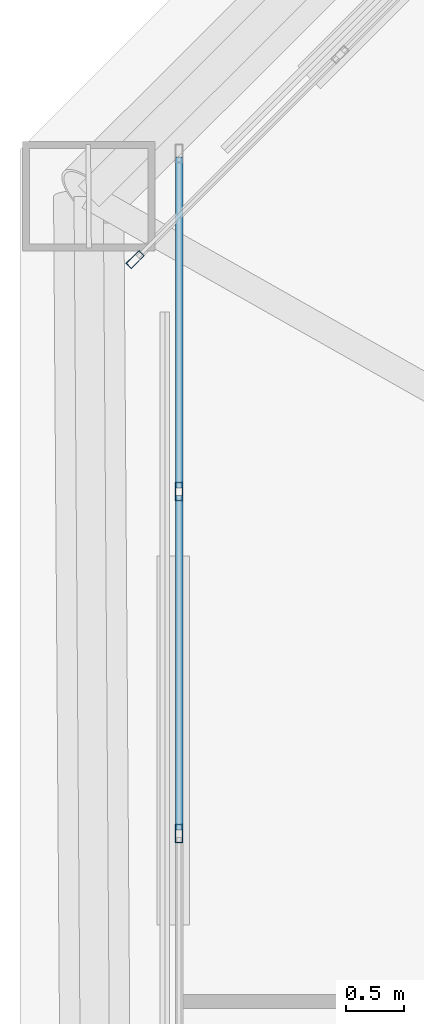
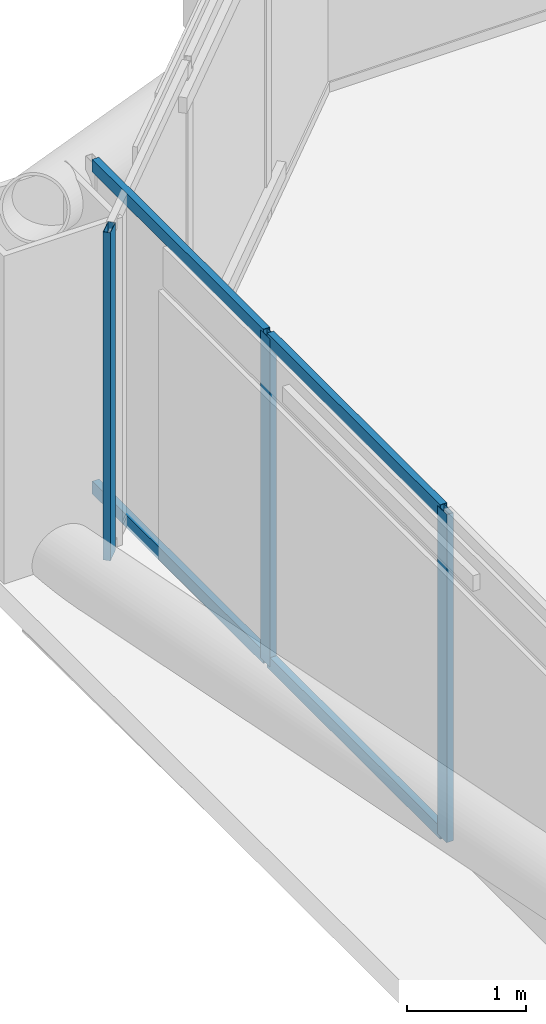
# One storey, part 30 of 50: 7 members, 2 elements without a shape of their own.
"""IFC4 building model written with IfcOpenShell, lengths in metres."""

from ifc_helpers import new_model, si_unit, direction, frame, origin, origin_2d, place, context, subcontext, project, spatial, hollow_rectangle, extrude, material, layer, layer_set, material_profile, profile_set, type_object, element, aggregate, save


model = new_model("IFC4")

# Units and contexts
model_context = context("Model", 3, precision=1e-05, world=origin(), true_north=direction((0.0, 1.0)))
body_context = subcontext(model_context, "Body", "Model", "MODEL_VIEW")
ifc_project = project(units=[si_unit("LENGTHUNIT", "METRE"), si_unit("AREAUNIT", "SQUARE_METRE"), si_unit("VOLUMEUNIT", "CUBIC_METRE"), si_unit("PLANEANGLEUNIT", "RADIAN"), si_unit("MASSUNIT", "GRAM", prefix="KILO")], contexts=[model_context])

# Site, building, storey
site_placement = place(None, origin())
site = spatial("IfcSite", under=ifc_project, at=site_placement, CompositionType="ELEMENT")
building_placement = place(site_placement, origin())
building = spatial("IfcBuilding", under=site, at=building_placement, Name="Caelvoria Tower", CompositionType="ELEMENT")
storey_placement = place(building_placement, frame((0.0, 0.0, 71.199951171875)))
storey = spatial("IfcBuildingStorey", under=building, at=storey_placement, Name="L18", CompositionType="ELEMENT", Elevation=71.199951171875)

# Curtain wall, member
ifc_material_1 = material(Name="Anodised Bronze Aluminium and Low-E Glass", Category="aluminium")
ifc_layer = layer(ifc_material_1, 0.18505859375, Name="Anodised Bronze Aluminium and Low-E Glass")
ifc_layer_set = layer_set([ifc_layer], Name="CW System 2 Lower Tower Bronze Unitised Facade - Anodised Bronze Aluminium and Low-E Glass")
curtain_wall_type = type_object("IfcCurtainWallType", Name="CW System 2 Lower Tower Bronze Unitised Facade", PredefinedType="NOTDEFINED", material=ifc_layer_set)
curtain_wall_1_placement = place(storey_placement, origin())
curtain_wall_1 = element("IfcCurtainWall", 1, at=curtain_wall_1_placement, inside=storey, type_object=curtain_wall_type, Name="CW-02 Curtain Wall L18-E5", PredefinedType="NOTDEFINED")
ifc_material_2 = material(Name="Anodised Bronze Architectural Aluminium", Category="aluminium")
ifc_material_profile_1 = material_profile(ifc_material_2, hollow_rectangle(XDim=0.06494140625, YDim=0.159912109375, WallThickness=0.00390625, at=origin_2d()), Name="Anodised Bronze Architectural Aluminium")
ifc_profile_set_1 = profile_set([ifc_material_profile_1], Name="CW_MULL_65X160 - Anodised Bronze Architectural Aluminium")
member_type_1 = type_object("IfcMemberType", Name="Curtain Wall Mullion 65x160 Bronze Aluminium", PredefinedType="MULLION", material=ifc_profile_set_1)
member_1_placement = place(storey_placement, frame((20.798828125, 48.84716796875, 0.0), z_axis=(0.0, 0.0, 1.0), x_axis=(0.707106781187, -0.707106781187, 0.0)))
member_1 = element("IfcMember", 2, at=member_1_placement, type_object=member_type_1, Name="CW-02 mullion 4", PredefinedType="MULLION", context=body_context, shape_type="SweptSolid", body=[
    extrude(hollow_rectangle(XDim=0.06494140625, YDim=0.159912109375, WallThickness=0.00390625, at=origin_2d()), origin(), (0.0, 0.0, 1.0), 3.360107421875),
])
aggregate(curtain_wall_1, [member_1])

# Curtain wall, members
curtain_wall_2_placement = place(storey_placement, origin())
curtain_wall_2 = element("IfcCurtainWall", 3, at=curtain_wall_2_placement, inside=storey, type_object=curtain_wall_type, Name="CW-02 Curtain Wall L18-E6", PredefinedType="NOTDEFINED")
member_2_placement = place(storey_placement, frame((21.179931640625, 46.833251953125, 0.0), z_axis=(0.0, 0.0, 1.0), x_axis=(1.0, 0.0, 0.0)))
member_2 = element("IfcMember", 4, at=member_2_placement, type_object=member_type_1, Name="CW-02 mullion 2", PredefinedType="MULLION", context=body_context, shape_type="SweptSolid", body=[
    extrude(hollow_rectangle(XDim=0.06494140625, YDim=0.159912109375, WallThickness=0.00390625, at=origin_2d()), origin(), (0.0, 0.0, 1.0), 3.360107421875),
])
member_3_placement = place(storey_placement, frame((21.179931640625, 43.86669921875, 0.0), z_axis=(0.0, 0.0, 1.0), x_axis=(1.0, 0.0, 0.0)))
member_3 = element("IfcMember", 5, at=member_3_placement, type_object=member_type_1, Name="CW-02 mullion 3", PredefinedType="MULLION", context=body_context, shape_type="SweptSolid", body=[
    extrude(hollow_rectangle(XDim=0.06494140625, YDim=0.159912109375, WallThickness=0.00390625, at=origin_2d()), origin(), (0.0, 0.0, 1.0), 3.360107421875),
])
ifc_material_profile_2 = material_profile(ifc_material_2, hollow_rectangle(XDim=0.06494140625, YDim=0.1298828125, WallThickness=0.00341796875, at=origin_2d()), Name="Anodised Bronze Architectural Aluminium")
ifc_profile_set_2 = profile_set([ifc_material_profile_2], Name="CW_TRAN_65X130 - Anodised Bronze Architectural Aluminium")
member_type_2 = type_object("IfcMemberType", Name="Curtain Wall Transom 65x130 Bronze Aluminium", PredefinedType="USERDEFINED", material=ifc_profile_set_2)
member_4_placement = place(storey_placement, frame((21.179931640625, 49.735107421875, 0.032470703125), z_axis=(0.0, -1.0, 0.0), x_axis=(1.0, 0.0, 0.0)))
member_4 = element("IfcMember", 6, at=member_4_placement, type_object=member_type_2, Name="CW-02 transom 1.1", ObjectType="TRANSOM", PredefinedType="USERDEFINED", context=body_context, shape_type="SweptSolid", body=[
    extrude(hollow_rectangle(XDim=0.06494140625, YDim=0.1298828125, WallThickness=0.00341796875, at=origin_2d()), origin(), (0.0, 0.0, 1.0), 2.869384765625),
])
member_5_placement = place(storey_placement, frame((21.179931640625, 49.735107421875, 3.32763671875), z_axis=(0.0, -1.0, 0.0), x_axis=(1.0, 0.0, 0.0)))
member_5 = element("IfcMember", 7, at=member_5_placement, type_object=member_type_2, Name="CW-02 transom 1.2", ObjectType="TRANSOM", PredefinedType="USERDEFINED", context=body_context, shape_type="SweptSolid", body=[
    extrude(hollow_rectangle(XDim=0.06494140625, YDim=0.1298828125, WallThickness=0.00341796875, at=origin_2d()), origin(), (0.0, 0.0, 1.0), 2.869384765625),
])
member_6_placement = place(storey_placement, frame((21.179931640625, 46.80078125, 0.032470703125), z_axis=(0.0, -1.0, 0.0), x_axis=(1.0, 0.0, 0.0)))
member_6 = element("IfcMember", 8, at=member_6_placement, type_object=member_type_2, Name="CW-02 transom 2.1", ObjectType="TRANSOM", PredefinedType="USERDEFINED", context=body_context, shape_type="SweptSolid", body=[
    extrude(hollow_rectangle(XDim=0.06494140625, YDim=0.1298828125, WallThickness=0.00341796875, at=origin_2d()), origin(), (0.0, 0.0, 1.0), 2.901611328125),
])
member_7_placement = place(storey_placement, frame((21.179931640625, 46.80078125, 3.32763671875), z_axis=(0.0, -1.0, 0.0), x_axis=(1.0, 0.0, 0.0)))
member_7 = element("IfcMember", 9, at=member_7_placement, type_object=member_type_2, Name="CW-02 transom 2.2", ObjectType="TRANSOM", PredefinedType="USERDEFINED", context=body_context, shape_type="SweptSolid", body=[
    extrude(hollow_rectangle(XDim=0.06494140625, YDim=0.1298828125, WallThickness=0.00341796875, at=origin_2d()), origin(), (0.0, 0.0, 1.0), 2.901611328125),
])
aggregate(curtain_wall_2, [member_2, member_3, member_4, member_5, member_6, member_7])

save(model, "model.ifc")
